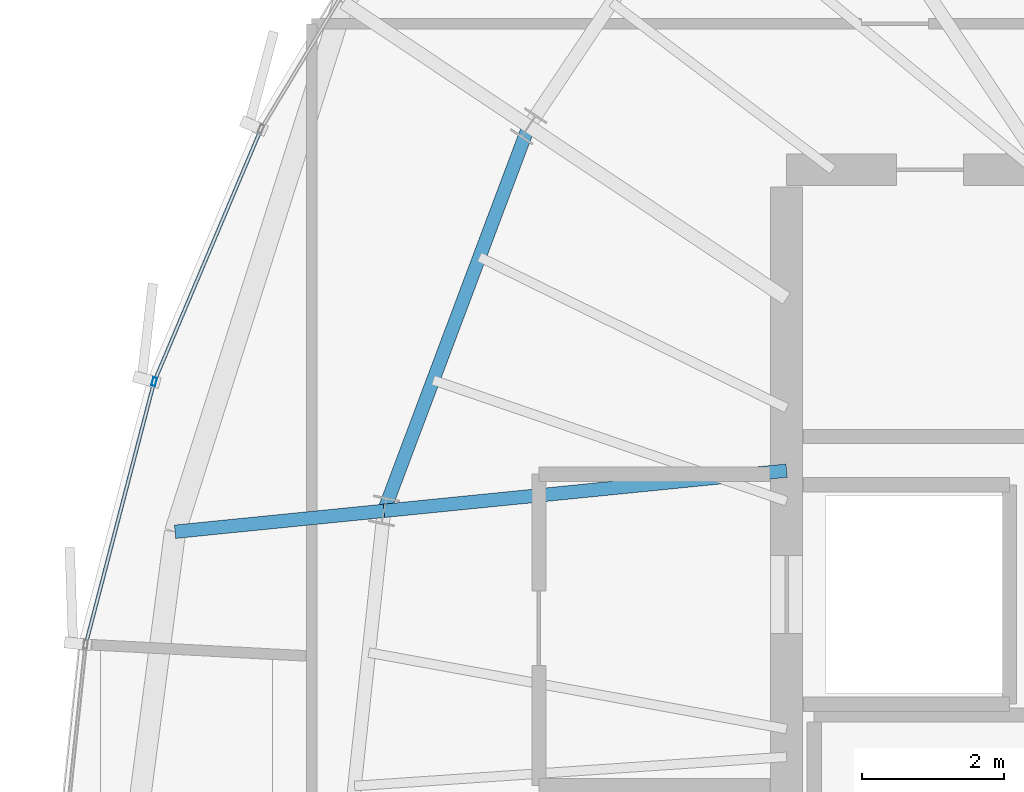
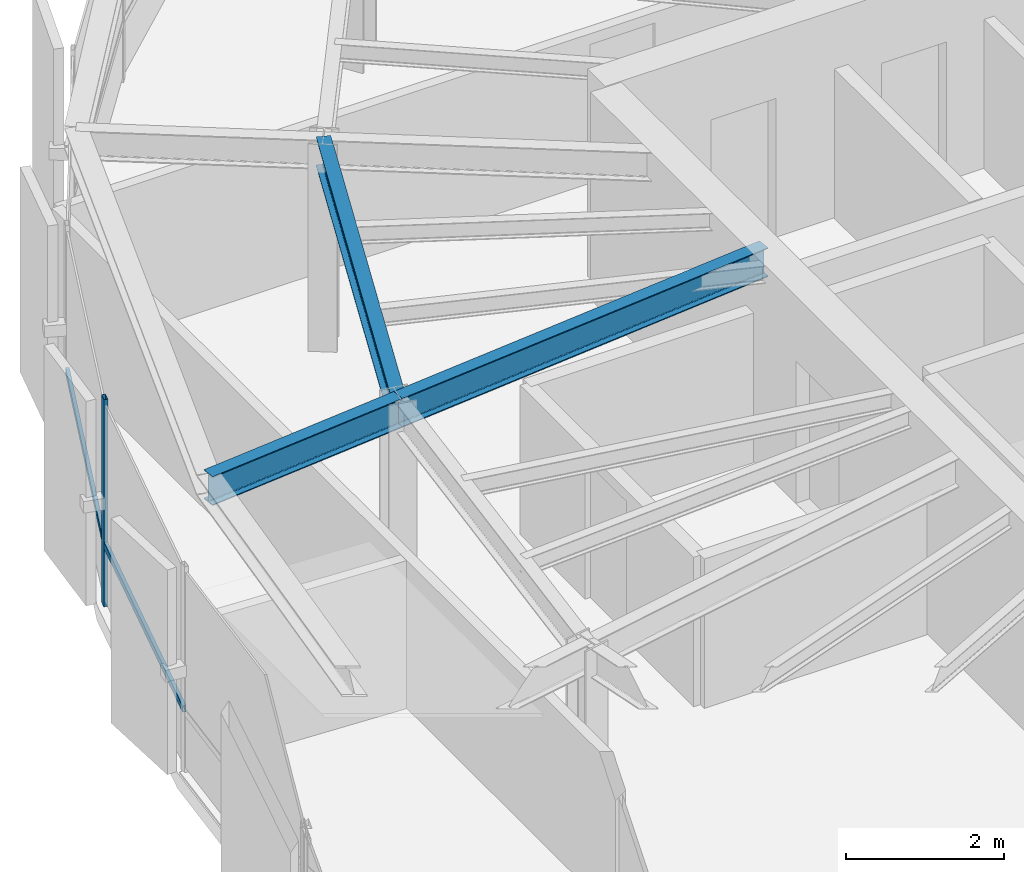
# One storey, part 11 of 31: 3 beams, 3 members, 1 element without a shape of its own.
"""IFC4 building model written with IfcOpenShell, lengths in metres."""

import ifcopenshell
import ifcopenshell.guid

model = None  # the IFC model being written
_history = None  # IfcOwnerHistory: only IFC2X3 demands one
_inside = {}  # id of a spatial element -> (the spatial element, [elements in it])
_under = {}  # id of a project, library or spatial element -> (it, [spatial elements below it])
_declared = {}  # id of a project -> (the project, [libraries it declares])
_typed = {}  # id of a type object -> (the type object, [elements of that type])
_made_of = {}  # id of a material, layer set ... -> (it, [elements and type objects made of it])


def new_model(schema):
    """Start an empty IFC model of exactly this schema.

    Asked for "IFC4X3", IfcOpenShell would pick the latest addendum, in which some entities
    have other attributes; the version numbers below select the first issue.
    IFC2X3 requires an IfcOwnerHistory on every rooted entity: one is made here for all.
    """
    global model, _history
    if schema == "IFC4X3":
        model = ifcopenshell.file(schema_version=(4, 3, 0, 0))
    else:
        model = ifcopenshell.file(schema=schema)
    _inside.clear()
    _under.clear()
    _declared.clear()
    _typed.clear()
    _made_of.clear()
    _history = None
    if model.schema == "IFC2X3":
        org = make("IfcOrganization", Name="unknown")
        user = make(
            "IfcPersonAndOrganization",
            ThePerson=make("IfcPerson", FamilyName="unknown"),
            TheOrganization=org,
        )
        app = make(
            "IfcApplication",
            ApplicationDeveloper=org,
            Version="unknown",
            ApplicationFullName="unknown",
            ApplicationIdentifier="unknown",
        )
        _history = make(
            "IfcOwnerHistory",
            OwningUser=user,
            OwningApplication=app,
            ChangeAction="ADDED",
            CreationDate=0,
        )
    return model


def make(cls, **values):
    """One entity of the class cls with the attributes given. An attribute that is None is left unset."""
    return model.create_entity(
        cls, **{name: value for name, value in values.items() if value is not None}
    )


def rooted(cls, **values):
    """An entity with a GlobalId (a new one), such as an element, a storey or a relation."""
    return make(cls, GlobalId=ifcopenshell.guid.new(), OwnerHistory=_history, **values)


def si_unit(unit_type, name, prefix=None):
    """IfcSIUnit, for example si_unit("LENGTHUNIT", "METRE", prefix="MILLI")."""
    return make("IfcSIUnit", UnitType=unit_type, Prefix=prefix, Name=name)


def assignment(units):
    """IfcUnitAssignment: the units of a project."""
    return None if units is None else make("IfcUnitAssignment", Units=units)


def point(xyz):
    """IfcCartesianPoint."""
    return None if xyz is None else make("IfcCartesianPoint", Coordinates=xyz)


def direction(xyz):
    """IfcDirection."""
    return None if xyz is None else make("IfcDirection", DirectionRatios=xyz)


def frame(location, z_axis=None, x_axis=None):
    """IfcAxis2Placement3D, a coordinate frame: its origin and axes. An axis left out is left unset."""
    return make(
        "IfcAxis2Placement3D",
        Location=point(location),
        Axis=direction(z_axis),
        RefDirection=direction(x_axis),
    )


def frame_2d(location, x_axis=None):
    """IfcAxis2Placement2D, a coordinate frame in the plane: its origin and x axis."""
    return make(
        "IfcAxis2Placement2D", Location=point(location), RefDirection=direction(x_axis)
    )


def origin():
    """The frame at (0, 0, 0) with its axes left unset."""
    return frame((0.0, 0.0, 0.0))


def origin_2d():
    """The frame at (0, 0) in the plane with its x axis left unset."""
    return frame_2d((0.0, 0.0))


def place(relative_to, where):
    """IfcLocalPlacement: puts the frame where relative to a parent placement (None: the world)."""
    return make(
        "IfcLocalPlacement", PlacementRelTo=relative_to, RelativePlacement=where
    )


def context(
    kind, dimensions, precision=None, world=None, true_north=None, identifier=None
):
    """IfcGeometricRepresentationContext, for example the 3D "Model" context."""
    return make(
        "IfcGeometricRepresentationContext",
        ContextIdentifier=identifier,
        ContextType=kind,
        CoordinateSpaceDimension=dimensions,
        Precision=precision,
        WorldCoordinateSystem=world,
        TrueNorth=true_north,
    )


def subcontext(parent, identifier, kind, view, scale=None):
    """IfcGeometricRepresentationSubContext, for example "Body" below "Model"."""
    return make(
        "IfcGeometricRepresentationSubContext",
        ContextIdentifier=identifier,
        ContextType=kind,
        ParentContext=parent,
        TargetScale=scale,
        TargetView=view,
    )


def project(units=None, contexts=None):
    """IfcProject with its units and contexts."""
    return rooted(
        "IfcProject",
        Name="project",
        RepresentationContexts=contexts,
        UnitsInContext=assignment(units),
    )


def spatial(cls, under=None, at=None, **own):
    """A site, building, storey or space (cls), placed at a placement, below another one or the project."""
    s = rooted(cls, ObjectPlacement=at, **own)
    if under is not None:
        _under.setdefault(under.id(), (under, []))[1].append(s)
    return s


def profile(cls, at=None, kind="AREA", **sizes):
    """A parametric profile (cls). Its sizes go by their IFC names, for example OverallWidth=200.0."""
    return make(cls, ProfileType=kind, Position=at, **sizes)


def hollow_rectangle(**sizes):
    """IfcRectangleHollowProfileDef."""
    return profile("IfcRectangleHollowProfileDef", **sizes)


def i_section(**sizes):
    """IfcIShapeProfileDef."""
    return profile("IfcIShapeProfileDef", **sizes)


def extrude(swept, where, along, depth):
    """IfcExtrudedAreaSolid: the profile swept, set in the frame where, extruded along a direction by depth."""
    return make(
        "IfcExtrudedAreaSolid",
        SweptArea=swept,
        Position=where,
        ExtrudedDirection=direction(along),
        Depth=depth,
    )


def shape(context_of_items, identifier, shape_type, items):
    """IfcShapeRepresentation: the items that make up one representation, for example the "Body"."""
    return make(
        "IfcShapeRepresentation",
        ContextOfItems=context_of_items,
        RepresentationIdentifier=identifier,
        RepresentationType=shape_type,
        Items=items,
    )


def source(mapping_origin, context_of_items, identifier, shape_type, items):
    """IfcRepresentationMap: a shape defined once, which mapped items show again and again."""
    return make(
        "IfcRepresentationMap",
        MappingOrigin=mapping_origin,
        MappedRepresentation=shape(context_of_items, identifier, shape_type, items),
    )


def transform(
    local_origin,
    x_axis=None,
    y_axis=None,
    z_axis=None,
    scale=None,
    scale2=None,
    scale3=None,
    uniform=True,
):
    """IfcCartesianTransformationOperator3D, or its non-uniform kind. x_axis, y_axis, z_axis: its Axis1, 2, 3."""
    if uniform:
        return make(
            "IfcCartesianTransformationOperator3D",
            Axis1=direction(x_axis),
            Axis2=direction(y_axis),
            LocalOrigin=point(local_origin),
            Scale=scale,
            Axis3=direction(z_axis),
        )
    return make(
        "IfcCartesianTransformationOperator3DnonUniform",
        Axis1=direction(x_axis),
        Axis2=direction(y_axis),
        LocalOrigin=point(local_origin),
        Scale=scale,
        Axis3=direction(z_axis),
        Scale2=scale2,
        Scale3=scale3,
    )


def mapped(mapping_source, mapping_target):
    """IfcMappedItem: shows the shape of a source again, moved by a transform."""
    return make(
        "IfcMappedItem", MappingSource=mapping_source, MappingTarget=mapping_target
    )


def material(Name=None, Category=None):
    """IfcMaterial."""
    return make("IfcMaterial", Name=Name, Category=Category)


def layer(
    of_material, thickness, ventilated=None, Name=None, Category=None, Priority=None
):
    """IfcMaterialLayer: one layer of a wall or slab, of a material (None: an air gap)."""
    return make(
        "IfcMaterialLayer",
        Material=of_material,
        LayerThickness=thickness,
        IsVentilated=ventilated,
        Name=Name,
        Category=Category,
        Priority=Priority,
    )


def layer_set(layers, Name=None):
    """IfcMaterialLayerSet."""
    return make("IfcMaterialLayerSet", MaterialLayers=layers, LayerSetName=Name)


def material_profile(
    of_material, cross_section, Name=None, Category=None, Priority=None
):
    """IfcMaterialProfile: a cross section and its material."""
    return make(
        "IfcMaterialProfile",
        Name=Name,
        Material=of_material,
        Profile=cross_section,
        Priority=Priority,
        Category=Category,
    )


def profile_set(profiles, Name=None, composite=None):
    """IfcMaterialProfileSet."""
    return make(
        "IfcMaterialProfileSet",
        Name=Name,
        MaterialProfiles=profiles,
        CompositeProfile=composite,
    )


def made_of(thing, what):
    """Note that an element or type object is made of a material, layer set ...; save() writes the relation."""
    if what is not None:
        _made_of.setdefault(what.id(), (what, []))[1].append(thing)
    return thing


def type_object(cls, material=None, **own):
    """A type object (cls), such as IfcWallType, which elements share."""
    return made_of(rooted(cls, **own), material)


def element(
    cls,
    number,
    at=None,
    inside=None,
    cuts=None,
    type_object=None,
    material=None,
    context=None,
    identifier="Body",
    shape_type=None,
    held_by="IfcProductDefinitionShape",
    body=None,
    shapes=None,
    **own,
):
    """One element of the class cls, such as IfcWall. Its Tag is "e" and its number.

    at: its placement. inside: the storey or other place that contains it. cuts: it is an
    opening in that element (IfcRelVoidsElement). A single representation is given by context,
    identifier, shape_type and body (its items); several are given by shapes. held_by: the class
    of the entity that holds the representations. save() writes the other relations.
    """
    e = rooted(cls, Tag="e%d" % number, ObjectPlacement=at, **own)
    if body is not None:
        shapes = [shape(context, identifier, shape_type, body)]
    if shapes is not None:
        e.Representation = make(held_by, Representations=shapes)
    if inside is not None:
        _inside.setdefault(inside.id(), (inside, []))[1].append(e)
    if cuts is not None:
        rooted(
            "IfcRelVoidsElement", RelatingBuildingElement=cuts, RelatedOpeningElement=e
        )
    if type_object is not None:
        _typed.setdefault(type_object.id(), (type_object, []))[1].append(e)
    return made_of(e, material)


def aggregate(whole, parts):
    """IfcRelAggregates: a whole, such as a stair, and the parts it consists of."""
    return rooted("IfcRelAggregates", RelatingObject=whole, RelatedObjects=parts)


def save(model, path):
    """Write the relations noted so far, then the file.

    IfcRelAggregates (storeys below a building ...), IfcRelContainedInSpatialStructure (elements
    in a storey), IfcRelDefinesByType, IfcRelAssociatesMaterial and IfcRelDeclares: one each for
    every whole, place, type object, material and project.
    """
    for whole, parts in _under.values():
        aggregate(whole, parts)
    for where, things in _inside.values():
        rooted(
            "IfcRelContainedInSpatialStructure",
            RelatedElements=things,
            RelatingStructure=where,
        )
    for kind, things in _typed.values():
        rooted("IfcRelDefinesByType", RelatedObjects=things, RelatingType=kind)
    for what, things in _made_of.values():
        rooted("IfcRelAssociatesMaterial", RelatedObjects=things, RelatingMaterial=what)
    for by, libraries in _declared.values():
        rooted("IfcRelDeclares", RelatingContext=by, RelatedDefinitions=libraries)
    model.write(path)


model = new_model("IFC4")

# Units and contexts
model_context = context("Model", 3, precision=1e-05, world=origin(), true_north=direction((0.0, 1.0)))
body_context = subcontext(model_context, "Body", "Model", "MODEL_VIEW")
ifc_project = project(units=[si_unit("LENGTHUNIT", "METRE"), si_unit("AREAUNIT", "SQUARE_METRE"), si_unit("VOLUMEUNIT", "CUBIC_METRE"), si_unit("PLANEANGLEUNIT", "RADIAN"), si_unit("MASSUNIT", "GRAM", prefix="KILO"), si_unit("THERMODYNAMICTEMPERATUREUNIT", "KELVIN")], contexts=[model_context])

# Site, building, storey
site_placement = place(None, origin())
site = spatial("IfcSite", under=ifc_project, at=site_placement, CompositionType="ELEMENT")
building_placement = place(site_placement, origin())
building = spatial("IfcBuilding", under=site, at=building_placement, Name="Kethvar Cultural Tower", CompositionType="ELEMENT")
storey_placement = place(building_placement, frame((0.0, 0.0, 287.050048828125)))
storey = spatial("IfcBuildingStorey", under=building, at=storey_placement, Name="L76", CompositionType="ELEMENT", Elevation=287.050048828125)

# Beams
ifc_material_1 = material(Name="Steel S355J2", Category="steel")
ifc_material_profile_1 = material_profile(ifc_material_1, i_section(OverallWidth=0.18994140625, OverallDepth=0.449951171875, WebThickness=0.009521484375, FlangeThickness=0.0146484375, FilletRadius=0.02099609375, at=origin_2d()), Name="Steel S355J2 — IPE450")
ifc_profile_set_1 = profile_set([ifc_material_profile_1], Name="Steel S355J2 — IPE450")
beam_type = type_object("IfcBeamType", Name="BM-IPE450", PredefinedType="BEAM", material=ifc_profile_set_1)
shared_shape_1 = source(origin(), body_context, "Body", "SweptSolid", [
    extrude(i_section(OverallWidth=0.18994140625, OverallDepth=0.449951171875, WebThickness=0.009521484375, FlangeThickness=0.0146484375, FilletRadius=0.02099609375, at=origin_2d()), origin(), (0.0, 0.0, 1.0), 5.7158203125),
])
beam_1_placement = place(storey_placement, frame((38.0, 31.25, 2.98291015625), z_axis=(-0.995048179628, -0.099393763478, 0.0), x_axis=(0.099393763478, -0.995048179628, 0.0)))
element("IfcBeam", 1, at=beam_1_placement, inside=storey, type_object=beam_type, Name="L76 Primary Radial Beam RB-08", PredefinedType="BEAM", context=body_context, shape_type="MappedRepresentation", body=[
    mapped(shared_shape_1, transform((0.0, 0.0, 0.0), scale=1.0)),
])
shared_shape_2 = source(origin(), body_context, "Body", "SweptSolid", [
    extrude(i_section(OverallWidth=0.18994140625, OverallDepth=0.449951171875, WebThickness=0.009521484375, FlangeThickness=0.0146484375, FilletRadius=0.02099609375, at=origin_2d()), origin(), (0.0, 0.0, 1.0), 5.8046875),
])
beam_2_placement = place(storey_placement, frame((34.35595703125, 36.114990234375, 2.98291015625), z_axis=(-0.352035902861, -0.935986497283, 0.0), x_axis=(0.935986497283, -0.352035902861, 0.0)))
element("IfcBeam", 2, at=beam_2_placement, inside=storey, type_object=beam_type, Name="L76 Column Ring Tie Beam CR-07", PredefinedType="BEAM", context=body_context, shape_type="MappedRepresentation", body=[
    mapped(shared_shape_2, transform((0.0, 0.0, 0.0), scale=1.0)),
])
shared_shape_3 = source(origin(), body_context, "Body", "SweptSolid", [
    extrude(i_section(OverallWidth=0.18994140625, OverallDepth=0.449951171875, WebThickness=0.009521484375, FlangeThickness=0.0146484375, FilletRadius=0.02099609375, at=origin_2d()), origin(), (0.0, 0.0, 1.0), 2.96630859375),
])
beam_3_placement = place(storey_placement, frame((32.3125, 30.681884765625, 2.98291015625), z_axis=(-0.995045335702, -0.099422230399, 0.0), x_axis=(0.099422230399, -0.995045335702, 0.0)))
element("IfcBeam", 3, at=beam_3_placement, inside=storey, type_object=beam_type, Name="L76 Perimeter Cantilever Beam RC-08", PredefinedType="BEAM", context=body_context, shape_type="MappedRepresentation", body=[
    mapped(shared_shape_3, transform((0.0, 0.0, 0.0), scale=1.0)),
])

# Curtain wall, members
ifc_material_2 = material(Name="Aluminium 6063-T6", Category="aluminium")
ifc_layer = layer(ifc_material_2, 0.179931640625, Name="Aluminium 6063-T6", Category="aluminium")
ifc_layer_set = layer_set([ifc_layer], Name="Aluminium 6063-T6 (180 mm)")
curtain_wall_type = type_object("IfcCurtainWallType", Name="CW-SYS-05-Z56", PredefinedType="NOTDEFINED", material=ifc_layer_set)
curtain_wall_placement = place(storey_placement, origin())
curtain_wall = element("IfcCurtainWall", 4, at=curtain_wall_placement, inside=storey, type_object=curtain_wall_type, Name="L76 Curtain Wall Run 02", PredefinedType="NOTDEFINED")
ifc_material_profile_2 = material_profile(ifc_material_2, hollow_rectangle(XDim=0.054931640625, YDim=0.1201171875, WallThickness=0.00390625, at=origin_2d()), Name="Aluminium 6063-T6 — RHS120x55x4")
ifc_profile_set_2 = profile_set([ifc_material_profile_2], Name="Aluminium 6063-T6 — RHS120x55x4")
member_type_1 = type_object("IfcMemberType", Name="CW-SYS-05-Z56-MUL", PredefinedType="MULLION", material=ifc_profile_set_2)
shared_shape_4 = source(origin(), body_context, "Body", "SweptSolid", [
    extrude(hollow_rectangle(XDim=0.054931640625, YDim=0.1201171875, WallThickness=0.00390625, at=origin_2d()), origin(), (0.0, 0.0, 1.0), 3.2099609375),
])
member_1_placement = place(storey_placement, frame((29.06640625, 32.506103515625, 0.0), z_axis=(0.0, 0.0, 1.0), x_axis=(0.967660758805, -0.25225514042, 0.0)))
member_1 = element("IfcMember", 5, at=member_1_placement, type_object=member_type_1, Name="CW-L76-R02 Mullion 5", PredefinedType="MULLION", context=body_context, shape_type="MappedRepresentation", body=[
    mapped(shared_shape_4, transform((0.0, 0.0, 0.0), scale=1.0)),
])
ifc_material_profile_3 = material_profile(ifc_material_2, hollow_rectangle(XDim=0.050048828125, YDim=0.10009765625, WallThickness=0.00390625, at=origin_2d()), Name="Aluminium 6063-T6 — RHS100x50x4")
ifc_profile_set_3 = profile_set([ifc_material_profile_3], Name="Aluminium 6063-T6 — RHS100x50x4")
member_type_2 = type_object("IfcMemberType", Name="CW-SYS-05-Z56-TRN", PredefinedType="USERDEFINED", material=ifc_profile_set_3)
shared_shape_5 = source(origin(), body_context, "Body", "SweptSolid", [
    extrude(hollow_rectangle(XDim=0.050048828125, YDim=0.10009765625, WallThickness=0.00390625, at=origin_2d()), origin(), (0.0, 0.0, 1.0), 3.771728515625),
])
member_2_placement = place(storey_placement, frame((29.056396484375, 32.4677734375, 0.949951171875), z_axis=(-0.252255884736, -0.967660564773, 0.0), x_axis=(0.967660564773, -0.252255884736, 0.0)))
member_2 = element("IfcMember", 6, at=member_2_placement, type_object=member_type_2, Name="CW-L76-R02 Transom 5", ObjectType="TRANSOM", PredefinedType="USERDEFINED", context=body_context, shape_type="MappedRepresentation", body=[
    mapped(shared_shape_5, transform((0.0, 0.0, 0.0), scale=1.0)),
])
shared_shape_6 = source(origin(), body_context, "Body", "SweptSolid", [
    extrude(hollow_rectangle(XDim=0.050048828125, YDim=0.10009765625, WallThickness=0.00390625, at=origin_2d()), origin(), (0.0, 0.0, 1.0), 3.81005859375),
])
member_3_placement = place(storey_placement, frame((30.5595703125, 36.03857421875, 0.949951171875), z_axis=(-0.389088053042, -0.921200568269, 0.0), x_axis=(0.921200568269, -0.389088053042, 0.0)))
member_3 = element("IfcMember", 7, at=member_3_placement, type_object=member_type_2, Name="CW-L76-R02 Transom 4", ObjectType="TRANSOM", PredefinedType="USERDEFINED", context=body_context, shape_type="MappedRepresentation", body=[
    mapped(shared_shape_6, transform((0.0, 0.0, 0.0), scale=1.0)),
])
aggregate(curtain_wall, [member_1, member_3, member_2])

save(model, "model.ifc")
